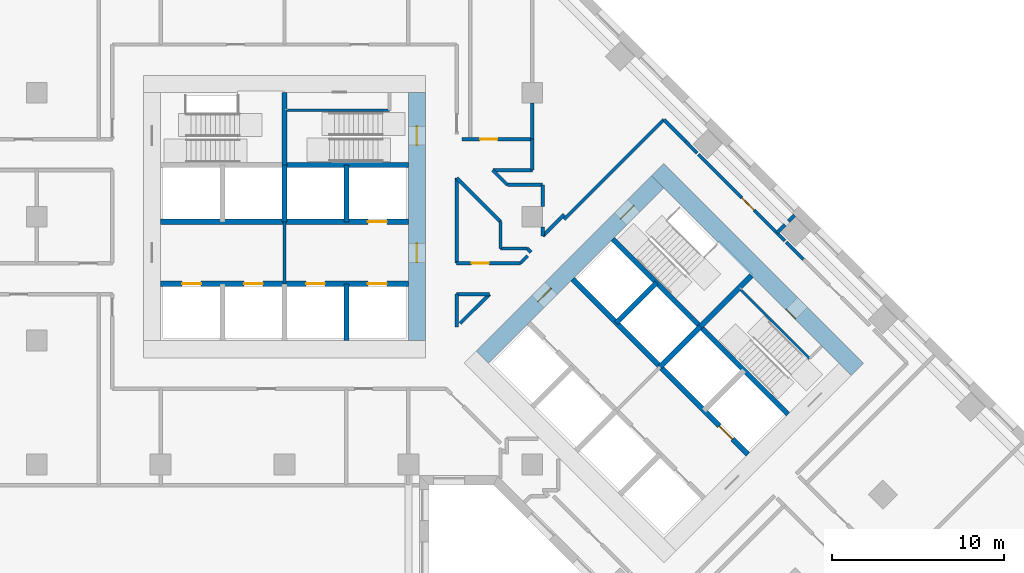
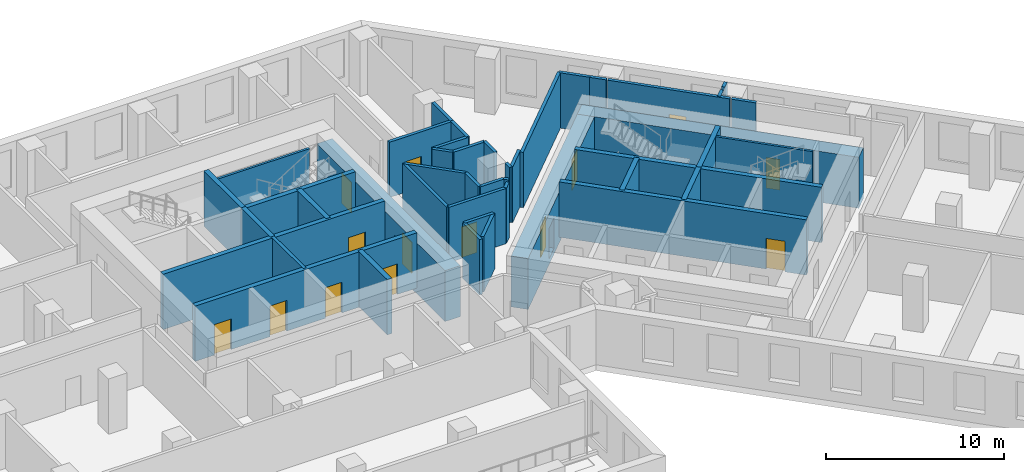
# One storey, part 8 of 13: 45 walls, 14 doors, 14 openings.
"""IFC4 building model written with IfcOpenShell, lengths in metres."""

from ifc_helpers import new_model, si_unit, direction, frame, frame_2d, origin, place, context, subcontext, project, spatial, rectangle, extrude, material, layer, layer_set, type_object, element, fill, save


model = new_model("IFC4")

# Units and contexts
model_context = context("Model", 3, precision=1e-05, world=origin(), true_north=direction((0.0, 1.0)))
body_context = subcontext(model_context, "Body", "Model", "MODEL_VIEW")
ifc_project = project(units=[si_unit("LENGTHUNIT", "METRE"), si_unit("AREAUNIT", "SQUARE_METRE"), si_unit("VOLUMEUNIT", "CUBIC_METRE"), si_unit("PLANEANGLEUNIT", "RADIAN"), si_unit("MASSUNIT", "GRAM", prefix="KILO")], contexts=[model_context])

# Site, building, storey
site_placement = place(None, origin())
site = spatial("IfcSite", under=ifc_project, at=site_placement, CompositionType="ELEMENT")
building_placement = place(site_placement, origin())
building = spatial("IfcBuilding", under=site, at=building_placement, Name="Windrow Commons", CompositionType="ELEMENT")
storey_placement = place(building_placement, frame((0.0, 0.0, 14.4)))
storey = spatial("IfcBuildingStorey", under=building, at=storey_placement, Name="L03", CompositionType="ELEMENT", Elevation=14.4)

# Walls
ifc_material_1 = material(Name="Blockwork partition", Category="masonry")
ifc_layer_1 = layer(ifc_material_1, 0.2)
ifc_layer_set_1 = layer_set([ifc_layer_1], Name="Fire lobby partition 200")
wall_type_1 = type_object("IfcWallType", Name="Fire lobby partition 200", PredefinedType="PARTITIONING", material=ifc_layer_set_1)
wall_1_placement = place(storey_placement, frame((64.8, 53.7, 0.0), z_axis=(0.0, 0.0, 1.0), x_axis=(0.0, 1.0, 0.0)))
element("IfcWall", 1, at=wall_1_placement, inside=storey, type_object=wall_type_1, Name="W-core-lobby-A-L03", PredefinedType="PARTITIONING", context=body_context, shape_type="SweptSolid", body=[
    extrude(rectangle(XDim=3.6, YDim=0.2, at=frame_2d((1.8, 0.0))), origin(), (0.0, 0.0, 1.0), 3.8),
])
ifc_material_2 = material(Name="Blockwork partition", Category="masonry")
ifc_layer_2 = layer(ifc_material_2, 0.2)
ifc_layer_set_2 = layer_set([ifc_layer_2], Name="IW-CORRIDOR-200")
wall_type_2 = type_object("IfcWallType", Name="IW-CORRIDOR-200", PredefinedType="PARTITIONING", material=ifc_layer_set_2)
wall_2_placement = place(storey_placement, frame((81.0528, 57.4452, 0.0), z_axis=(0.0, 0.0, 1.0), x_axis=(0.7069845395, 0.7072290017, 0.0)))
element("IfcWall", 2, at=wall_2_placement, inside=storey, type_object=wall_type_2, Name="W-L03-W031", PredefinedType="PARTITIONING", context=body_context, shape_type="SweptSolid", body=[
    extrude(rectangle(XDim=8.1812, YDim=0.2, at=frame_2d((4.0906, 0.0))), origin(), (0.0, 0.0, 1.0), 3.8),
])

# Wall, opening, door
wall_3_placement = place(storey_placement, frame((88.8471, 61.2151, 0.0), z_axis=(0.0, 0.0, 1.0), x_axis=(0.7071067812, -0.7071067812, 0.0)))
wall_3 = element("IfcWall", 3, at=wall_3_placement, inside=storey, type_object=wall_type_2, Name="W-L03-W032", PredefinedType="PARTITIONING", context=body_context, shape_type="SweptSolid", body=[
    extrude(rectangle(XDim=7.105, YDim=0.2, at=frame_2d((3.5525, 0.0))), origin(), (0.0, 0.0, 1.0), 3.8),
])
opening_1_placement = place(wall_3_placement, frame((3.5714, 0.0, 0.0)))
opening_1 = element("IfcOpeningElement", 4, at=opening_1_placement, cuts=wall_3, Name="Opening D310F", PredefinedType="OPENING", context=body_context, shape_type="SweptSolid", body=[
    extrude(rectangle(XDim=1.0, YDim=2.1, at=frame_2d((0.5, 1.05))), frame((0.0, 0.11, 0.0), z_axis=(0.0, -1.0, 0.0), x_axis=(1.0, 0.0, 0.0)), (0.0, 0.0, 1.0), 0.22),
])
ifc_material_3 = material(Name="Timber door leaf", Category="wood")
door_type_1 = type_object("IfcDoorType", Name="DT-AMENITY-1000", OperationType="SINGLE_SWING_LEFT", PredefinedType="DOOR", material=ifc_material_3)
door_1_placement = place(opening_1_placement, origin())
door_1 = element("IfcDoor", 5, at=door_1_placement, inside=storey, type_object=door_type_1, Name="D-L03-D029", OperationType="SINGLE_SWING_LEFT", OverallHeight=2.1, OverallWidth=1.0, PredefinedType="DOOR", context=body_context, shape_type="SweptSolid", body=[
    extrude(rectangle(XDim=1.0, YDim=2.1, at=frame_2d((0.5, 1.05))), frame((0.0, 0.025, 0.0), z_axis=(0.0, -1.0, 0.0), x_axis=(1.0, 0.0, 0.0)), (0.0, 0.0, 1.0), 0.05),
])
fill(opening_1, door_1)

# Wall
wall_4_placement = place(storey_placement, frame((74.8, 54.902, 0.0), z_axis=(0.0, 0.0, 1.0), x_axis=(0.0, 1.0, 0.0)))
element("IfcWall", 6, at=wall_4_placement, inside=storey, type_object=wall_type_2, Name="W-L03-W050", PredefinedType="PARTITIONING", context=body_context, shape_type="SweptSolid", body=[
    extrude(rectangle(XDim=4.95, YDim=0.2, at=frame_2d((2.475, 0.0))), origin(), (0.0, 0.0, 1.0), 3.8),
])

# Wall, opening, door
wall_5_placement = place(storey_placement, frame((75.1, 62.1, 0.0), z_axis=(0.0, 0.0, 1.0), x_axis=(1.0, 0.0, 0.0)))
wall_5 = element("IfcWall", 7, at=wall_5_placement, inside=storey, type_object=wall_type_2, Name="W-L03-W052", PredefinedType="PARTITIONING", context=body_context, shape_type="SweptSolid", body=[
    extrude(rectangle(XDim=4.1, YDim=0.2, at=frame_2d((2.05, 0.0))), origin(), (0.0, 0.0, 1.0), 3.8),
])
opening_2_placement = place(wall_5_placement, frame((1.0675, 0.0, 0.0)))
opening_2 = element("IfcOpeningElement", 8, at=opening_2_placement, cuts=wall_5, Name="Opening D310F", PredefinedType="OPENING", context=body_context, shape_type="SweptSolid", body=[
    extrude(rectangle(XDim=1.0, YDim=2.1, at=frame_2d((0.5, 1.05))), frame((0.0, 0.11, 0.0), z_axis=(0.0, -1.0, 0.0), x_axis=(1.0, 0.0, 0.0)), (0.0, 0.0, 1.0), 0.22),
])
door_2_placement = place(opening_2_placement, origin())
door_2 = element("IfcDoor", 9, at=door_2_placement, inside=storey, type_object=door_type_1, Name="D-L03-D026", OperationType="SINGLE_SWING_LEFT", OverallHeight=2.1, OverallWidth=1.0, PredefinedType="DOOR", context=body_context, shape_type="SweptSolid", body=[
    extrude(rectangle(XDim=1.0, YDim=2.1, at=frame_2d((0.5, 1.05))), frame((0.0, 0.025, 0.0), z_axis=(0.0, -1.0, 0.0), x_axis=(1.0, 0.0, 0.0)), (0.0, 0.0, 1.0), 0.05),
])
fill(opening_2, door_2)

wall_6_placement = place(storey_placement, frame((74.802, 54.9, 0.0), z_axis=(0.0, 0.0, 1.0), x_axis=(1.0, 0.0, 0.0)))
wall_6 = element("IfcWall", 10, at=wall_6_placement, inside=storey, type_object=wall_type_2, Name="W-L03-W058", PredefinedType="PARTITIONING", context=body_context, shape_type="SweptSolid", body=[
    extrude(rectangle(XDim=3.702, YDim=0.2, at=frame_2d((1.851, 0.0))), origin(), (0.0, 0.0, 1.0), 3.8),
])
opening_3_placement = place(wall_6_placement, frame((0.8725, 0.0, 0.0)))
opening_3 = element("IfcOpeningElement", 11, at=opening_3_placement, cuts=wall_6, Name="Opening D310F", PredefinedType="OPENING", context=body_context, shape_type="SweptSolid", body=[
    extrude(rectangle(XDim=1.0, YDim=2.1, at=frame_2d((0.5, 1.05))), frame((0.0, 0.11, 0.0), z_axis=(0.0, -1.0, 0.0), x_axis=(1.0, 0.0, 0.0)), (0.0, 0.0, 1.0), 0.22),
])
door_3_placement = place(opening_3_placement, origin())
door_3 = element("IfcDoor", 12, at=door_3_placement, inside=storey, type_object=door_type_1, Name="D-L03-D010", OperationType="SINGLE_SWING_LEFT", OverallHeight=2.1, OverallWidth=1.0, PredefinedType="DOOR", context=body_context, shape_type="SweptSolid", body=[
    extrude(rectangle(XDim=1.0, YDim=2.1, at=frame_2d((0.5, 1.05))), frame((0.0, 0.025, 0.0), z_axis=(0.0, -1.0, 0.0), x_axis=(1.0, 0.0, 0.0)), (0.0, 0.0, 1.0), 0.05),
])
fill(opening_3, door_3)

# Walls
wall_7_placement = place(storey_placement, frame((74.7986, 59.8486, 0.0), z_axis=(0.0, 0.0, 1.0), x_axis=(0.7071067812, -0.7071067812, 0.0)))
element("IfcWall", 13, at=wall_7_placement, inside=storey, type_object=wall_type_2, Name="W-L03-W059", PredefinedType="PARTITIONING", context=body_context, shape_type="SweptSolid", body=[
    extrude(rectangle(XDim=3.6034, YDim=0.2, at=frame_2d((1.8017, 0.0))), origin(), (0.0, 0.0, 1.0), 3.8),
])
wall_8_placement = place(storey_placement, frame((75.0014, 51.3946, 0.0), z_axis=(0.0, 0.0, 1.0), x_axis=(0.7075218716, 0.7066914469, 0.0)))
element("IfcWall", 14, at=wall_8_placement, inside=storey, type_object=wall_type_2, Name="W-L03-W065", PredefinedType="PARTITIONING", context=body_context, shape_type="SweptSolid", body=[
    extrude(rectangle(XDim=2.4084, YDim=0.2, at=frame_2d((1.2042, 0.0))), origin(), (0.0, 0.0, 1.0), 3.8),
])
wall_9_placement = place(storey_placement, frame((76.902, 60.3, 0.0), z_axis=(0.0, 0.0, 1.0), x_axis=(1.0, 0.0, 0.0)))
element("IfcWall", 15, at=wall_9_placement, inside=storey, type_object=wall_type_2, Name="W-L03-W066", PredefinedType="PARTITIONING", context=body_context, shape_type="SweptSolid", body=[
    extrude(rectangle(XDim=2.298, YDim=0.2, at=frame_2d((1.149, 0.0))), origin(), (0.0, 0.0, 1.0), 3.8),
])
wall_10_placement = place(storey_placement, frame((77.75, 59.45, 0.0), z_axis=(0.0, 0.0, 1.0), x_axis=(1.0, 0.0, 0.0)))
element("IfcWall", 16, at=wall_10_placement, inside=storey, type_object=wall_type_2, Name="W-L03-W079", PredefinedType="PARTITIONING", context=body_context, shape_type="SweptSolid", body=[
    extrude(rectangle(XDim=2.05, YDim=0.2, at=frame_2d((1.025, 0.0))), origin(), (0.0, 0.0, 1.0), 3.8),
])
wall_11_placement = place(storey_placement, frame((74.8, 51.198, 0.0), z_axis=(0.0, 0.0, 1.0), x_axis=(0.0, 1.0, 0.0)))
element("IfcWall", 17, at=wall_11_placement, inside=storey, type_object=wall_type_2, Name="W-L03-W080", PredefinedType="PARTITIONING", context=body_context, shape_type="SweptSolid", body=[
    extrude(rectangle(XDim=1.902, YDim=0.2, at=frame_2d((0.951, 0.0))), origin(), (0.0, 0.0, 1.0), 3.8),
])
wall_12_placement = place(storey_placement, frame((74.802, 53.1, 0.0), z_axis=(0.0, 0.0, 1.0), x_axis=(1.0, 0.0, 0.0)))
element("IfcWall", 18, at=wall_12_placement, inside=storey, type_object=wall_type_2, Name="W-L03-W081", PredefinedType="PARTITIONING", context=body_context, shape_type="SweptSolid", body=[
    extrude(rectangle(XDim=1.9, YDim=0.2, at=frame_2d((0.95, 0.0))), origin(), (0.0, 0.0, 1.0), 3.8),
])
wall_13_placement = place(storey_placement, frame((86.8353, 63.2313, 0.0), z_axis=(0.0, 0.0, 1.0), x_axis=(0.7076620277, -0.7065510983, 0.0)))
element("IfcWall", 19, at=wall_13_placement, inside=storey, type_object=wall_type_2, Name="W-L03-W087", PredefinedType="PARTITIONING", context=body_context, shape_type="SweptSolid", body=[
    extrude(rectangle(XDim=1.8003, YDim=0.2, at=frame_2d((0.9002, 0.0))), origin(), (0.0, 0.0, 1.0), 3.8),
])
wall_14_placement = place(storey_placement, frame((79.2, 60.3, 0.0), z_axis=(0.0, 0.0, 1.0), x_axis=(0.0, 1.0, 0.0)))
element("IfcWall", 20, at=wall_14_placement, inside=storey, type_object=wall_type_2, Name="W-L03-W088", PredefinedType="PARTITIONING", context=body_context, shape_type="SweptSolid", body=[
    extrude(rectangle(XDim=1.8, YDim=0.2, at=frame_2d((0.9, 0.0))), origin(), (0.0, 0.0, 1.0), 3.8),
])
wall_15_placement = place(storey_placement, frame((79.8012, 56.4808, 0.0), z_axis=(0.0, 0.0, 1.0), x_axis=(0.7071067812, 0.7071067812, 0.0)))
element("IfcWall", 21, at=wall_15_placement, inside=storey, type_object=wall_type_2, Name="W-L03-W093", PredefinedType="PARTITIONING", context=body_context, shape_type="SweptSolid", body=[
    extrude(rectangle(XDim=1.7649, YDim=0.2, at=frame_2d((0.8824, 0.0))), origin(), (0.0, 0.0, 1.0), 3.8),
])
for number, where, z_axis, x_axis, name in (
    (22, (77.35, 55.752, 0.0), (0.0, 0.0, 1.0), (0.0, 1.0, 0.0), "W-L03-W095"),
    (23, (77.352, 55.75, 0.0), (0.0, 0.0, 1.0), (1.0, 0.0, 0.0), "W-L03-W096"),
):
    element("IfcWall", number, at=place(storey_placement, frame(where, z_axis=z_axis, x_axis=x_axis)), inside=storey, type_object=wall_type_2, Name=name, PredefinedType="PARTITIONING", context=body_context, shape_type="SweptSolid", body=[
        extrude(rectangle(XDim=1.552, YDim=0.2, at=frame_2d((0.776, 0.0))), origin(), (0.0, 0.0, 1.0), 3.8),
    ])
wall_16_placement = place(storey_placement, frame((93.9391, 56.1231, 0.0), z_axis=(0.0, 0.0, 1.0), x_axis=(0.7071067812, -0.7071067812, 0.0)))
element("IfcWall", 24, at=wall_16_placement, inside=storey, type_object=wall_type_2, Name="W-L03-W097", PredefinedType="PARTITIONING", context=body_context, shape_type="SweptSolid", body=[
    extrude(rectangle(XDim=1.4284, YDim=0.2, at=frame_2d((0.7142, 0.0))), origin(), (0.0, 0.0, 1.0), 3.8),
])
wall_17_placement = place(storey_placement, frame((79.8, 58.2, 0.0), z_axis=(0.0, 0.0, 1.0), x_axis=(0.0, 1.0, 0.0)))
element("IfcWall", 25, at=wall_17_placement, inside=storey, type_object=wall_type_2, Name="W-L03-W098", PredefinedType="PARTITIONING", context=body_context, shape_type="SweptSolid", body=[
    extrude(rectangle(XDim=1.25, YDim=0.2, at=frame_2d((0.625, 0.0))), origin(), (0.0, 0.0, 1.0), 3.8),
])
wall_18_placement = place(storey_placement, frame((76.8974, 60.2954, 0.0), z_axis=(0.0, 0.0, 1.0), x_axis=(0.7071067812, -0.7071067812, 0.0)))
element("IfcWall", 26, at=wall_18_placement, inside=storey, type_object=wall_type_2, Name="W-L03-W099", PredefinedType="PARTITIONING", context=body_context, shape_type="SweptSolid", body=[
    extrude(rectangle(XDim=1.1993, YDim=0.2, at=frame_2d((0.5997, 0.0))), origin(), (0.0, 0.0, 1.0), 3.8),
])
wall_19_placement = place(storey_placement, frame((88.108, 61.958, 0.0), z_axis=(0.0, 0.0, 1.0), x_axis=(0.706055323, -0.7081566782, 0.0)))
element("IfcWall", 27, at=wall_19_placement, inside=storey, type_object=wall_type_2, Name="W-L03-W101", PredefinedType="PARTITIONING", context=body_context, shape_type="SweptSolid", body=[
    extrude(rectangle(XDim=0.9518, YDim=0.2, at=frame_2d((0.4759, 0.0))), origin(), (0.0, 0.0, 1.0), 3.8),
])
wall_20_placement = place(storey_placement, frame((78.5046, 54.9014, 0.0), z_axis=(0.0, 0.0, 1.0), x_axis=(0.7071067812, 0.7071067812, 0.0)))
element("IfcWall", 28, at=wall_20_placement, inside=storey, type_object=wall_type_2, Name="W-L03-W112", PredefinedType="PARTITIONING", context=body_context, shape_type="SweptSolid", body=[
    extrude(rectangle(XDim=0.5883, YDim=0.2, at=frame_2d((0.2942, 0.0))), origin(), (0.0, 0.0, 1.0), 3.8),
])
wall_21_placement = place(storey_placement, frame((79.8, 56.48, 0.0), z_axis=(0.0, 0.0, 1.0), x_axis=(0.0, 1.0, 0.0)))
element("IfcWall", 29, at=wall_21_placement, inside=storey, type_object=wall_type_2, Name="W-L03-W113", PredefinedType="PARTITIONING", context=body_context, shape_type="SweptSolid", body=[
    extrude(rectangle(XDim=0.52, YDim=0.2, at=frame_2d((0.26, 0.0))), origin(), (0.0, 0.0, 1.0), 3.8),
])
wall_22_placement = place(storey_placement, frame((78.9006, 55.7466, 0.0), z_axis=(0.0, 0.0, 1.0), x_axis=(0.7071067812, -0.7071067812, 0.0)))
element("IfcWall", 30, at=wall_22_placement, inside=storey, type_object=wall_type_2, Name="W-L03-W118", PredefinedType="PARTITIONING", context=body_context, shape_type="SweptSolid", body=[
    extrude(rectangle(XDim=0.3168, YDim=0.2, at=frame_2d((0.1584, 0.0))), origin(), (0.0, 0.0, 1.0), 3.8),
])
ifc_material_4 = material(Name="Blockwork partition", Category="masonry")
ifc_layer_3 = layer(ifc_material_4, 0.2)
ifc_layer_set_3 = layer_set([ifc_layer_3], Name="IW-PARTY-200")
wall_type_3 = type_object("IfcWallType", Name="IW-PARTY-200", PredefinedType="PARTITIONING", material=ifc_layer_set_3)
wall_23_placement = place(storey_placement, frame((79.2, 62.1, 0.0), z_axis=(0.0, 0.0, 1.0), x_axis=(0.0, 1.0, 0.0)))
element("IfcWall", 31, at=wall_23_placement, inside=storey, type_object=wall_type_3, Name="W-L03-W074", PredefinedType="PARTITIONING", context=body_context, shape_type="SweptSolid", body=[
    extrude(rectangle(XDim=2.1, YDim=0.2, at=frame_2d((1.05, 0.0))), origin(), (0.0, 0.0, 1.0), 3.8),
])
wall_24_placement = place(storey_placement, frame((93.4117, 56.6563, 0.0), z_axis=(0.0, 0.0, 1.0), x_axis=(0.7071067812, 0.7071067812, 0.0)))
element("IfcWall", 32, at=wall_24_placement, inside=storey, type_object=wall_type_3, Name="W-L03-W106", PredefinedType="PARTITIONING", context=body_context, shape_type="SweptSolid", body=[
    extrude(rectangle(XDim=0.6534, YDim=0.2, at=frame_2d((0.3267, 0.0))), origin(), (0.0, 0.0, 1.0), 3.8),
])
wall_25_placement = place(storey_placement, frame((94.0817, 57.3263, 0.0), z_axis=(0.0, 0.0, 1.0), x_axis=(0.7071067812, 0.7071067812, 0.0)))
element("IfcWall", 33, at=wall_25_placement, inside=storey, type_object=wall_type_3, Name="W-L03-W117", PredefinedType="PARTITIONING", context=body_context, shape_type="SweptSolid", body=[
    extrude(rectangle(XDim=0.5029, YDim=0.2, at=frame_2d((0.2515, 0.0))), origin(), (0.0, 0.0, 1.0), 3.8),
])

# Wall, openings, doors
ifc_material_5 = material(Name="Concrete C60/75", Category="concrete")
ifc_layer_4 = layer(ifc_material_5, 1.0)
ifc_layer_set_4 = layer_set([ifc_layer_4], Name="RC CORE WALL 1000 C60/75")
wall_type_4 = type_object("IfcWallType", Name="RC CORE WALL 1000 C60/75", PredefinedType="SHEAR", material=ifc_layer_set_4)
wall_26_placement = place(storey_placement, frame((72.5, 50.4, -0.4), z_axis=(0.0, 0.0, 1.0), x_axis=(0.0, 1.0, 0.0)))
wall_26 = element("IfcWall", 34, at=wall_26_placement, inside=storey, type_object=wall_type_4, Name="Core A wall outer-E", PredefinedType="SHEAR", context=body_context, shape_type="SweptSolid", body=[
    extrude(rectangle(XDim=14.4, YDim=1.0, at=frame_2d((7.2, 0.0))), origin(), (0.0, 0.0, 1.0), 3.5),
])
opening_4_placement = place(wall_26_placement, frame((4.55, 0.0, 0.4)))
opening_4 = element("IfcOpeningElement", 35, at=opening_4_placement, cuts=wall_26, Name="Opening D6", PredefinedType="OPENING", context=body_context, shape_type="SweptSolid", body=[
    extrude(rectangle(XDim=1.1, YDim=2.1, at=frame_2d((0.55, 1.05))), frame((0.0, 0.51, 0.0), z_axis=(0.0, -1.0, 0.0), x_axis=(1.0, 0.0, 0.0)), (0.0, 0.0, 1.0), 1.02),
])
opening_5_placement = place(wall_26_placement, frame((11.35, 0.0, 0.4)))
opening_5 = element("IfcOpeningElement", 36, at=opening_5_placement, cuts=wall_26, Name="Opening D7", PredefinedType="OPENING", context=body_context, shape_type="SweptSolid", body=[
    extrude(rectangle(XDim=1.1, YDim=2.1, at=frame_2d((0.55, 1.05))), frame((0.0, 0.51, 0.0), z_axis=(0.0, -1.0, 0.0), x_axis=(1.0, 0.0, 0.0)), (0.0, 0.0, 1.0), 1.02),
])
ifc_material_6 = material(Name="Steel fire door leaf", Category="steel")
door_type_2 = type_object("IfcDoorType", Name="Core lobby door 1100", OperationType="SINGLE_SWING_LEFT", PredefinedType="DOOR", material=ifc_material_6)
door_4_placement = place(opening_4_placement, origin())
door_4 = element("IfcDoor", 37, at=door_4_placement, inside=storey, type_object=door_type_2, Name="Lift lobby door", OperationType="DOUBLE_DOOR_SINGLE_SWING", OverallHeight=2.1, OverallWidth=1.1, PredefinedType="DOOR", context=body_context, shape_type="SweptSolid", body=[
    extrude(rectangle(XDim=1.1, YDim=2.1, at=frame_2d((0.55, 1.05))), frame((0.0, 0.025, 0.0), z_axis=(0.0, -1.0, 0.0), x_axis=(1.0, 0.0, 0.0)), (0.0, 0.0, 1.0), 0.05),
])
fill(opening_4, door_4)
ifc_material_7 = material(Name="Steel fire door leaf", Category="steel")
door_type_3 = type_object("IfcDoorType", Name="Stair door 1100", OperationType="SINGLE_SWING_LEFT", PredefinedType="DOOR", material=ifc_material_7)
door_5_placement = place(opening_5_placement, origin())
door_5 = element("IfcDoor", 38, at=door_5_placement, inside=storey, type_object=door_type_3, Name="Stair door", OperationType="SINGLE_SWING_RIGHT", OverallHeight=2.1, OverallWidth=1.1, PredefinedType="DOOR", context=body_context, shape_type="SweptSolid", body=[
    extrude(rectangle(XDim=1.1, YDim=2.1, at=frame_2d((0.55, 1.05))), frame((0.0, 0.025, 0.0), z_axis=(0.0, -1.0, 0.0), x_axis=(1.0, 0.0, 0.0)), (0.0, 0.0, 1.0), 0.05),
])
fill(opening_5, door_5)

# Wall, opening, door
wall_27_placement = place(storey_placement, frame((86.4832, 60.3327, -0.4), z_axis=(0.0, 0.0, 1.0), x_axis=(0.70710983, -0.7071037324, 0.0)))
wall_27 = element("IfcWall", 39, at=wall_27_placement, inside=storey, type_object=wall_type_4, Name="Core B wall outer-N", PredefinedType="SHEAR", context=body_context, shape_type="SweptSolid", body=[
    extrude(rectangle(XDim=16.4, YDim=1.0, at=frame_2d((8.2, 0.0))), origin(), (0.0, 0.0, 1.0), 3.5),
])
opening_6_placement = place(wall_27_placement, frame((11.0, 0.0, 0.4)))
opening_6 = element("IfcOpeningElement", 40, at=opening_6_placement, cuts=wall_27, Name="Opening D9", PredefinedType="OPENING", context=body_context, shape_type="SweptSolid", body=[
    extrude(rectangle(XDim=0.8, YDim=2.1, at=frame_2d((0.4, 1.05))), frame((0.0, 0.51, 0.0), z_axis=(0.0, -1.0, 0.0), x_axis=(1.0, 0.0, 0.0)), (0.0, 0.0, 1.0), 1.02),
])
ifc_material_8 = material(Name="Steel fire door leaf", Category="steel")
door_type_4 = type_object("IfcDoorType", Name="Riser access door 800", OperationType="SINGLE_SWING_LEFT", PredefinedType="DOOR", material=ifc_material_8)
door_6_placement = place(opening_6_placement, origin())
door_6 = element("IfcDoor", 41, at=door_6_placement, inside=storey, type_object=door_type_4, Name="Riser access door", OperationType="SINGLE_SWING_RIGHT", OverallHeight=2.1, OverallWidth=0.8, PredefinedType="DOOR", context=body_context, shape_type="SweptSolid", body=[
    extrude(rectangle(XDim=0.8, YDim=2.1, at=frame_2d((0.4, 1.05))), frame((0.0, -0.44, 0.0), z_axis=(0.0, -1.0, 0.0), x_axis=(1.0, 0.0, 0.0)), (0.0, 0.0, 1.0), 0.05),
])
fill(opening_6, door_6)

# Wall, openings, doors
wall_28_placement = place(storey_placement, frame((76.3009, 49.4433, -0.4), z_axis=(0.0, 0.0, 1.0), x_axis=(0.7071067812, 0.7071067812, 0.0)))
wall_28 = element("IfcWall", 42, at=wall_28_placement, inside=storey, type_object=wall_type_4, Name="Core B wall outer-W", PredefinedType="SHEAR", context=body_context, shape_type="SweptSolid", body=[
    extrude(rectangle(XDim=14.3999, YDim=1.0, at=frame_2d((7.2, 0.0))), origin(), (0.0, 0.0, 1.0), 3.5),
])
opening_7_placement = place(wall_28_placement, frame((4.55, 0.0, 0.4)))
opening_7 = element("IfcOpeningElement", 43, at=opening_7_placement, cuts=wall_28, Name="Opening D6", PredefinedType="OPENING", context=body_context, shape_type="SweptSolid", body=[
    extrude(rectangle(XDim=1.1, YDim=2.1, at=frame_2d((0.55, 1.05))), frame((0.0, 0.51, 0.0), z_axis=(0.0, -1.0, 0.0), x_axis=(1.0, 0.0, 0.0)), (0.0, 0.0, 1.0), 1.02),
])
opening_8_placement = place(wall_28_placement, frame((11.35, 0.0, 0.4)))
opening_8 = element("IfcOpeningElement", 44, at=opening_8_placement, cuts=wall_28, Name="Opening D7", PredefinedType="OPENING", context=body_context, shape_type="SweptSolid", body=[
    extrude(rectangle(XDim=1.1, YDim=2.1, at=frame_2d((0.55, 1.05))), frame((0.0, 0.51, 0.0), z_axis=(0.0, -1.0, 0.0), x_axis=(1.0, 0.0, 0.0)), (0.0, 0.0, 1.0), 1.02),
])
door_7_placement = place(opening_7_placement, origin())
door_7 = element("IfcDoor", 45, at=door_7_placement, inside=storey, type_object=door_type_2, Name="Lift lobby door", OperationType="DOUBLE_DOOR_SINGLE_SWING", OverallHeight=2.1, OverallWidth=1.1, PredefinedType="DOOR", context=body_context, shape_type="SweptSolid", body=[
    extrude(rectangle(XDim=1.1, YDim=2.1, at=frame_2d((0.55, 1.05))), frame((0.0, 0.025, 0.0), z_axis=(0.0, -1.0, 0.0), x_axis=(1.0, 0.0, 0.0)), (0.0, 0.0, 1.0), 0.05),
])
fill(opening_7, door_7)
door_8_placement = place(opening_8_placement, origin())
door_8 = element("IfcDoor", 46, at=door_8_placement, inside=storey, type_object=door_type_3, Name="Stair door", OperationType="SINGLE_SWING_LEFT", OverallHeight=2.1, OverallWidth=1.1, PredefinedType="DOOR", context=body_context, shape_type="SweptSolid", body=[
    extrude(rectangle(XDim=1.1, YDim=2.1, at=frame_2d((0.55, 1.05))), frame((0.0, 0.025, 0.0), z_axis=(0.0, -1.0, 0.0), x_axis=(1.0, 0.0, 0.0)), (0.0, 0.0, 1.0), 0.05),
])
fill(opening_8, door_8)

# Walls
ifc_material_9 = material(Name="Concrete C60/75", Category="concrete")
ifc_layer_5 = layer(ifc_material_9, 0.3)
ifc_layer_set_5 = layer_set([ifc_layer_5], Name="RC SHAFT WALL 300 C60/75")
wall_type_5 = type_object("IfcWallType", Name="RC SHAFT WALL 300 C60/75", PredefinedType="SOLIDWALL", material=ifc_layer_set_5)
for number, where, z_axis, x_axis, name in (
    (47, (64.8, 57.3, 0.0), (0.0, 0.0, 1.0), (0.0, 1.0, 0.0), "Core A wall shaft-N2"),
    (48, (68.4, 50.4, 0.0), (0.0, 0.0, 1.0), (0.0, 1.0, 0.0), "Core A wall shaft-S3"),
    (49, (68.4, 57.3, 0.0), (0.0, 0.0, 1.0), (0.0, 1.0, 0.0), "Core A wall shaft-N3"),
):
    element("IfcWall", number, at=place(storey_placement, frame(where, z_axis=z_axis, x_axis=x_axis)), inside=storey, type_object=wall_type_5, Name=name, PredefinedType="SOLIDWALL", context=body_context, shape_type="SweptSolid", body=[
        extrude(rectangle(XDim=3.3, YDim=0.3, at=frame_2d((1.65, 0.0))), origin(), (0.0, 0.0, 1.0), 3.8),
    ])

# Wall, openings, doors
wall_29_placement = place(storey_placement, frame((57.6, 53.7, 0.0), z_axis=(0.0, 0.0, 1.0), x_axis=(1.0, 0.0, 0.0)))
wall_29 = element("IfcWall", 50, at=wall_29_placement, inside=storey, type_object=wall_type_5, Name="Core A wall lobby-S", PredefinedType="SOLIDWALL", context=body_context, shape_type="SweptSolid", body=[
    extrude(rectangle(XDim=14.4, YDim=0.3, at=frame_2d((7.2, 0.0))), origin(), (0.0, 0.0, 1.0), 3.8),
])
opening_9_placement = place(wall_29_placement, frame((1.25, 0.0, 0.0)))
opening_9 = element("IfcOpeningElement", 51, at=opening_9_placement, cuts=wall_29, Name="Opening LD", PredefinedType="OPENING", context=body_context, shape_type="SweptSolid", body=[
    extrude(rectangle(XDim=1.1, YDim=2.1, at=frame_2d((0.55, 1.05))), frame((0.0, 0.16, 0.0), z_axis=(0.0, -1.0, 0.0), x_axis=(1.0, 0.0, 0.0)), (0.0, 0.0, 1.0), 0.32),
])
opening_10_placement = place(wall_29_placement, frame((4.85, 0.0, 0.0)))
opening_10 = element("IfcOpeningElement", 52, at=opening_10_placement, cuts=wall_29, Name="Opening LD", PredefinedType="OPENING", context=body_context, shape_type="SweptSolid", body=[
    extrude(rectangle(XDim=1.1, YDim=2.1, at=frame_2d((0.55, 1.05))), frame((0.0, 0.16, 0.0), z_axis=(0.0, -1.0, 0.0), x_axis=(1.0, 0.0, 0.0)), (0.0, 0.0, 1.0), 0.32),
])
opening_11_placement = place(wall_29_placement, frame((8.45, 0.0, 0.0)))
opening_11 = element("IfcOpeningElement", 53, at=opening_11_placement, cuts=wall_29, Name="Opening LD", PredefinedType="OPENING", context=body_context, shape_type="SweptSolid", body=[
    extrude(rectangle(XDim=1.1, YDim=2.1, at=frame_2d((0.55, 1.05))), frame((0.0, 0.16, 0.0), z_axis=(0.0, -1.0, 0.0), x_axis=(1.0, 0.0, 0.0)), (0.0, 0.0, 1.0), 0.32),
])
opening_12_placement = place(wall_29_placement, frame((12.05, 0.0, 0.0)))
opening_12 = element("IfcOpeningElement", 54, at=opening_12_placement, cuts=wall_29, Name="Opening LD", PredefinedType="OPENING", context=body_context, shape_type="SweptSolid", body=[
    extrude(rectangle(XDim=1.1, YDim=2.1, at=frame_2d((0.55, 1.05))), frame((0.0, 0.16, 0.0), z_axis=(0.0, -1.0, 0.0), x_axis=(1.0, 0.0, 0.0)), (0.0, 0.0, 1.0), 0.32),
])
ifc_material_10 = material(Name="Stainless steel door leaf", Category="steel")
door_type_5 = type_object("IfcDoorType", Name="Lift landing door 1100", OperationType="SLIDING_TO_LEFT", PredefinedType="DOOR", material=ifc_material_10)
door_9_placement = place(opening_9_placement, origin())
door_9 = element("IfcDoor", 55, at=door_9_placement, inside=storey, type_object=door_type_5, Name="Lift landing door", OperationType="SLIDING_TO_LEFT", OverallHeight=2.1, OverallWidth=1.1, PredefinedType="DOOR", context=body_context, shape_type="SweptSolid", body=[
    extrude(rectangle(XDim=1.1, YDim=2.1, at=frame_2d((0.55, 1.05))), frame((0.0, 0.025, 0.0), z_axis=(0.0, -1.0, 0.0), x_axis=(1.0, 0.0, 0.0)), (0.0, 0.0, 1.0), 0.05),
])
fill(opening_9, door_9)
door_10_placement = place(opening_10_placement, origin())
door_10 = element("IfcDoor", 56, at=door_10_placement, inside=storey, type_object=door_type_5, Name="Lift landing door", OperationType="SLIDING_TO_RIGHT", OverallHeight=2.1, OverallWidth=1.1, PredefinedType="DOOR", context=body_context, shape_type="SweptSolid", body=[
    extrude(rectangle(XDim=1.1, YDim=2.1, at=frame_2d((0.55, 1.05))), frame((0.0, 0.025, 0.0), z_axis=(0.0, -1.0, 0.0), x_axis=(1.0, 0.0, 0.0)), (0.0, 0.0, 1.0), 0.05),
])
fill(opening_10, door_10)
door_11_placement = place(opening_11_placement, origin())
door_11 = element("IfcDoor", 57, at=door_11_placement, inside=storey, type_object=door_type_5, Name="Lift landing door", OperationType="SLIDING_TO_LEFT", OverallHeight=2.1, OverallWidth=1.1, PredefinedType="DOOR", context=body_context, shape_type="SweptSolid", body=[
    extrude(rectangle(XDim=1.1, YDim=2.1, at=frame_2d((0.55, 1.05))), frame((0.0, 0.025, 0.0), z_axis=(0.0, -1.0, 0.0), x_axis=(1.0, 0.0, 0.0)), (0.0, 0.0, 1.0), 0.05),
])
fill(opening_11, door_11)
door_12_placement = place(opening_12_placement, origin())
door_12 = element("IfcDoor", 58, at=door_12_placement, inside=storey, type_object=door_type_5, Name="Lift landing door", OperationType="SLIDING_TO_RIGHT", OverallHeight=2.1, OverallWidth=1.1, PredefinedType="DOOR", context=body_context, shape_type="SweptSolid", body=[
    extrude(rectangle(XDim=1.1, YDim=2.1, at=frame_2d((0.55, 1.05))), frame((0.0, 0.025, 0.0), z_axis=(0.0, -1.0, 0.0), x_axis=(1.0, 0.0, 0.0)), (0.0, 0.0, 1.0), 0.05),
])
fill(opening_12, door_12)

# Wall, opening, door
wall_30_placement = place(storey_placement, frame((57.6, 57.3, 0.0), z_axis=(0.0, 0.0, 1.0), x_axis=(1.0, 0.0, 0.0)))
wall_30 = element("IfcWall", 59, at=wall_30_placement, inside=storey, type_object=wall_type_5, Name="Core A wall lobby-N", PredefinedType="SOLIDWALL", context=body_context, shape_type="SweptSolid", body=[
    extrude(rectangle(XDim=14.4, YDim=0.3, at=frame_2d((7.2, 0.0))), origin(), (0.0, 0.0, 1.0), 3.8),
])
opening_13_placement = place(wall_30_placement, frame((12.05, 0.0, 0.0)))
opening_13 = element("IfcOpeningElement", 60, at=opening_13_placement, cuts=wall_30, Name="Opening LD", PredefinedType="OPENING", context=body_context, shape_type="SweptSolid", body=[
    extrude(rectangle(XDim=1.1, YDim=2.1, at=frame_2d((0.55, 1.05))), frame((0.0, 0.16, 0.0), z_axis=(0.0, -1.0, 0.0), x_axis=(1.0, 0.0, 0.0)), (0.0, 0.0, 1.0), 0.32),
])
door_13_placement = place(opening_13_placement, origin())
door_13 = element("IfcDoor", 61, at=door_13_placement, inside=storey, type_object=door_type_5, Name="Lift landing door", OperationType="SLIDING_TO_RIGHT", OverallHeight=2.1, OverallWidth=1.1, PredefinedType="DOOR", context=body_context, shape_type="SweptSolid", body=[
    extrude(rectangle(XDim=1.1, YDim=2.1, at=frame_2d((0.55, 1.05))), frame((0.0, 0.025, 0.0), z_axis=(0.0, -1.0, 0.0), x_axis=(1.0, 0.0, 0.0)), (0.0, 0.0, 1.0), 0.05),
])
fill(opening_13, door_13)

# Walls
wall_31_placement = place(storey_placement, frame((64.8, 60.6, 0.0), z_axis=(0.0, 0.0, 1.0), x_axis=(1.0, 0.0, 0.0)))
element("IfcWall", 62, at=wall_31_placement, inside=storey, type_object=wall_type_5, Name="Core A wall stair-S2", PredefinedType="SOLIDWALL", context=body_context, shape_type="SweptSolid", body=[
    extrude(rectangle(XDim=7.2, YDim=0.3, at=frame_2d((3.6, 0.0))), origin(), (0.0, 0.0, 1.0), 3.8),
])
wall_32_placement = place(storey_placement, frame((64.8, 60.6, 0.0), z_axis=(0.0, 0.0, 1.0), x_axis=(0.0, 1.0, 0.0)))
element("IfcWall", 63, at=wall_32_placement, inside=storey, type_object=wall_type_5, Name="Core A wall stair-mid", PredefinedType="SOLIDWALL", context=body_context, shape_type="SweptSolid", body=[
    extrude(rectangle(XDim=4.2, YDim=0.3, at=frame_2d((2.1, 0.0))), origin(), (0.0, 0.0, 1.0), 3.8),
])
wall_33_placement = place(storey_placement, frame((84.079, 51.4232, 0.0), z_axis=(0.0, 0.0, 1.0), x_axis=(0.7071219326, 0.7070916295, 0.0)))
element("IfcWall", 64, at=wall_33_placement, inside=storey, type_object=wall_type_5, Name="Core B wall shaft-N1", PredefinedType="SOLIDWALL", context=body_context, shape_type="SweptSolid", body=[
    extrude(rectangle(XDim=3.3, YDim=0.3, at=frame_2d((1.65, 0.0))), origin(), (0.0, 0.0, 1.0), 3.8),
])
wall_34_placement = place(storey_placement, frame((86.6246, 48.8776, 0.0), z_axis=(0.0, 0.0, 1.0), x_axis=(0.7071067812, 0.7071067812, 0.0)))
element("IfcWall", 65, at=wall_34_placement, inside=storey, type_object=wall_type_5, Name="Core B wall shaft-N2", PredefinedType="SOLIDWALL", context=body_context, shape_type="SweptSolid", body=[
    extrude(rectangle(XDim=3.3001, YDim=0.3, at=frame_2d((1.6501, 0.0))), origin(), (0.0, 0.0, 1.0), 3.8),
])

# Wall, opening, door
wall_35_placement = place(storey_placement, frame((81.5335, 53.9688, 0.0), z_axis=(0.0, 0.0, 1.0), x_axis=(0.707103309, -0.7071102534, 0.0)))
wall_35 = element("IfcWall", 66, at=wall_35_placement, inside=storey, type_object=wall_type_5, Name="Core B wall lobby-N", PredefinedType="SOLIDWALL", context=body_context, shape_type="SweptSolid", body=[
    extrude(rectangle(XDim=14.4, YDim=0.3, at=frame_2d((7.2, 0.0))), origin(), (0.0, 0.0, 1.0), 3.8),
])
opening_14_placement = place(wall_35_placement, frame((12.05, 0.0, 0.0)))
opening_14 = element("IfcOpeningElement", 67, at=opening_14_placement, cuts=wall_35, Name="Opening LD", PredefinedType="OPENING", context=body_context, shape_type="SweptSolid", body=[
    extrude(rectangle(XDim=1.1, YDim=2.1, at=frame_2d((0.55, 1.05))), frame((0.0, 0.16, 0.0), z_axis=(0.0, -1.0, 0.0), x_axis=(1.0, 0.0, 0.0)), (0.0, 0.0, 1.0), 0.32),
])
door_14_placement = place(opening_14_placement, origin())
door_14 = element("IfcDoor", 68, at=door_14_placement, inside=storey, type_object=door_type_5, Name="Lift landing door", OperationType="SLIDING_TO_RIGHT", OverallHeight=2.1, OverallWidth=1.1, PredefinedType="DOOR", context=body_context, shape_type="SweptSolid", body=[
    extrude(rectangle(XDim=1.1, YDim=2.1, at=frame_2d((0.55, 1.05))), frame((0.0, 0.025, 0.0), z_axis=(0.0, -1.0, 0.0), x_axis=(1.0, 0.0, 0.0)), (0.0, 0.0, 1.0), 0.05),
])
fill(opening_14, door_14)

# Walls
for number, where, z_axis, x_axis, name in (
    (69, (83.8669, 56.3022, 0.0), (0.0, 0.0, 1.0), (0.7071137256, -0.7070998367, 0.0), "Core B wall stair-S"),
    (70, (88.9581, 51.2111, 0.0), (0.0, 0.0, 1.0), (0.7070998367, -0.7071137256, 0.0), "Core B wall stair-S2"),
):
    element("IfcWall", number, at=place(storey_placement, frame(where, z_axis=z_axis, x_axis=x_axis)), inside=storey, type_object=wall_type_5, Name=name, PredefinedType="SOLIDWALL", context=body_context, shape_type="SweptSolid", body=[
        extrude(rectangle(XDim=7.2, YDim=0.3, at=frame_2d((3.6, 0.0))), origin(), (0.0, 0.0, 1.0), 3.8),
    ])
wall_36_placement = place(storey_placement, frame((88.9581, 51.2111, 0.0), z_axis=(0.0, 0.0, 1.0), x_axis=(0.7071067812, 0.7071067812, 0.0)))
element("IfcWall", 71, at=wall_36_placement, inside=storey, type_object=wall_type_5, Name="Core B wall stair-mid", PredefinedType="SOLIDWALL", context=body_context, shape_type="SweptSolid", body=[
    extrude(rectangle(XDim=4.1999, YDim=0.3, at=frame_2d((2.1, 0.0))), origin(), (0.0, 0.0, 1.0), 3.8),
])
ifc_material_11 = material(Name="Blockwork partition", Category="masonry")
ifc_layer_6 = layer(ifc_material_11, 0.15)
ifc_layer_set_6 = layer_set([ifc_layer_6], Name="Riser partition 150")
wall_type_6 = type_object("IfcWallType", Name="Riser partition 150", PredefinedType="PARTITIONING", material=ifc_layer_set_6)
wall_37_placement = place(storey_placement, frame((64.95, 63.78, 0.0), z_axis=(0.0, 0.0, 1.0), x_axis=(1.0, 0.0, 0.0)))
element("IfcWall", 72, at=wall_37_placement, inside=storey, type_object=wall_type_6, Name="W-core-strip-A-L03", PredefinedType="PARTITIONING", context=body_context, shape_type="SweptSolid", body=[
    extrude(rectangle(XDim=5.95, YDim=0.15, at=frame_2d((2.975, 0.0))), origin(), (0.0, 0.0, 1.0), 3.8),
])
wall_38_placement = place(storey_placement, frame((91.3127, 53.3536, 0.0), z_axis=(0.0, 0.0, 1.0), x_axis=(0.7071067812, -0.7071067812, 0.0)))
element("IfcWall", 73, at=wall_38_placement, inside=storey, type_object=wall_type_6, Name="W-core-strip-B-L03", PredefinedType="PARTITIONING", context=body_context, shape_type="SweptSolid", body=[
    extrude(rectangle(XDim=5.6501, YDim=0.15, at=frame_2d((2.8251, 0.0))), origin(), (0.0, 0.0, 1.0), 3.8),
])

save(model, "model.ifc")
